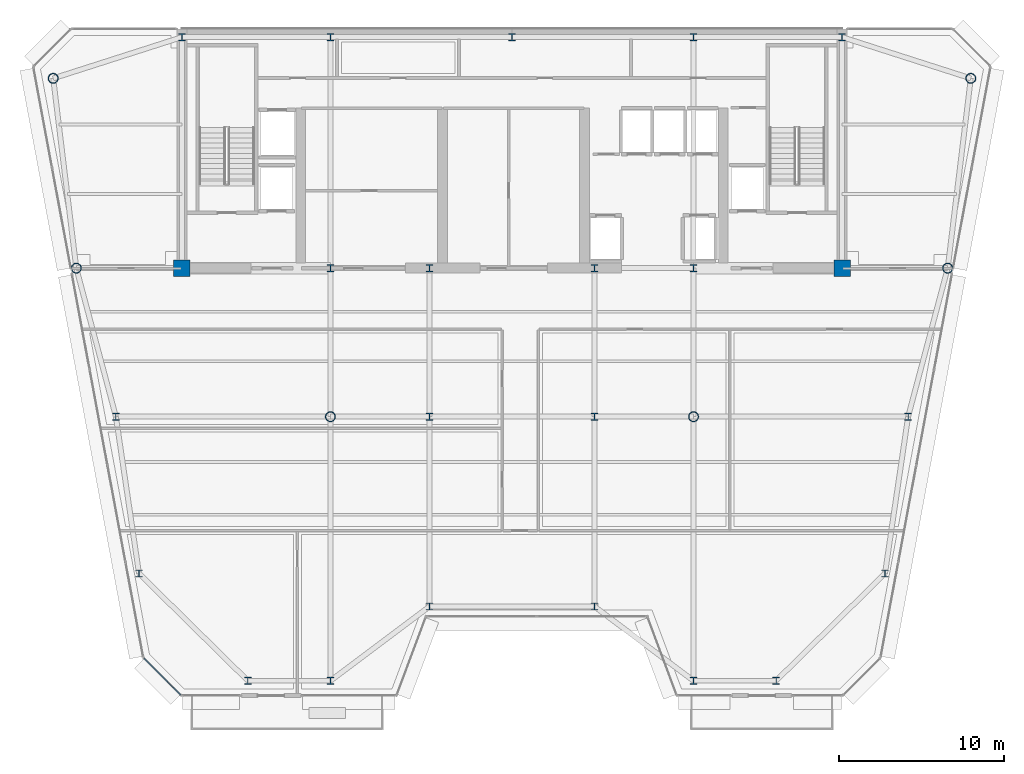
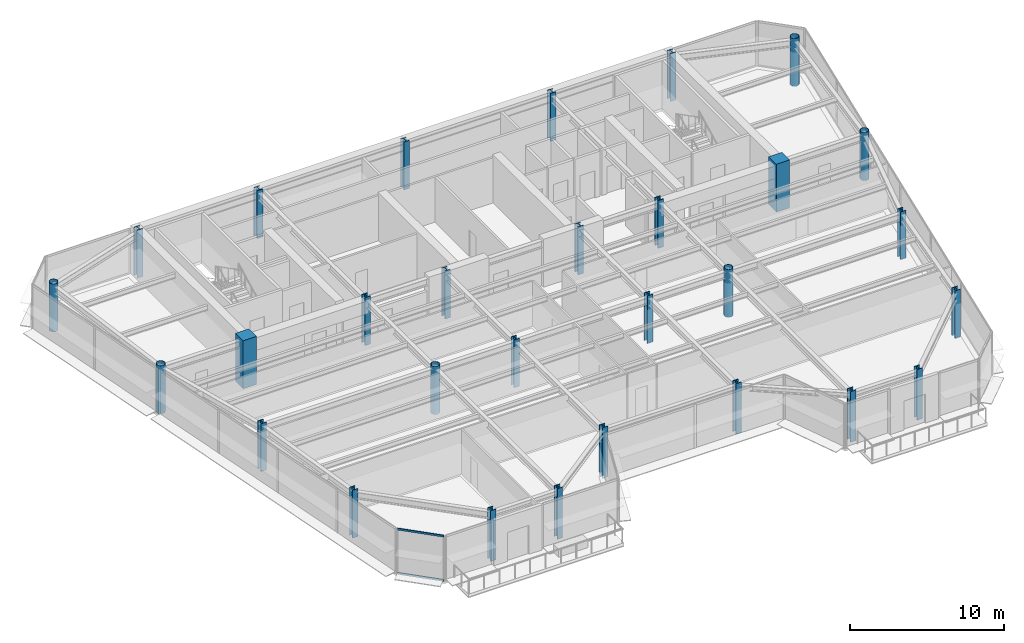
# One storey, part 1 of 14: 29 columns, 2 members, 1 element without a shape of its own.
"""IFC4 building model written with IfcOpenShell, lengths in metres."""

import ifcopenshell
import ifcopenshell.guid

model = None  # the IFC model being written
_history = None  # IfcOwnerHistory: only IFC2X3 demands one
_inside = {}  # id of a spatial element -> (the spatial element, [elements in it])
_under = {}  # id of a project, library or spatial element -> (it, [spatial elements below it])
_declared = {}  # id of a project -> (the project, [libraries it declares])
_typed = {}  # id of a type object -> (the type object, [elements of that type])
_made_of = {}  # id of a material, layer set ... -> (it, [elements and type objects made of it])


def new_model(schema):
    """Start an empty IFC model of exactly this schema.

    Asked for "IFC4X3", IfcOpenShell would pick the latest addendum, in which some entities
    have other attributes; the version numbers below select the first issue.
    IFC2X3 requires an IfcOwnerHistory on every rooted entity: one is made here for all.
    """
    global model, _history
    if schema == "IFC4X3":
        model = ifcopenshell.file(schema_version=(4, 3, 0, 0))
    else:
        model = ifcopenshell.file(schema=schema)
    _inside.clear()
    _under.clear()
    _declared.clear()
    _typed.clear()
    _made_of.clear()
    _history = None
    if model.schema == "IFC2X3":
        org = make("IfcOrganization", Name="unknown")
        user = make(
            "IfcPersonAndOrganization",
            ThePerson=make("IfcPerson", FamilyName="unknown"),
            TheOrganization=org,
        )
        app = make(
            "IfcApplication",
            ApplicationDeveloper=org,
            Version="unknown",
            ApplicationFullName="unknown",
            ApplicationIdentifier="unknown",
        )
        _history = make(
            "IfcOwnerHistory",
            OwningUser=user,
            OwningApplication=app,
            ChangeAction="ADDED",
            CreationDate=0,
        )
    return model


def make(cls, **values):
    """One entity of the class cls with the attributes given. An attribute that is None is left unset."""
    return model.create_entity(
        cls, **{name: value for name, value in values.items() if value is not None}
    )


def rooted(cls, **values):
    """An entity with a GlobalId (a new one), such as an element, a storey or a relation."""
    return make(cls, GlobalId=ifcopenshell.guid.new(), OwnerHistory=_history, **values)


def si_unit(unit_type, name, prefix=None):
    """IfcSIUnit, for example si_unit("LENGTHUNIT", "METRE", prefix="MILLI")."""
    return make("IfcSIUnit", UnitType=unit_type, Prefix=prefix, Name=name)


def assignment(units):
    """IfcUnitAssignment: the units of a project."""
    return None if units is None else make("IfcUnitAssignment", Units=units)


def point(xyz):
    """IfcCartesianPoint."""
    return None if xyz is None else make("IfcCartesianPoint", Coordinates=xyz)


def direction(xyz):
    """IfcDirection."""
    return None if xyz is None else make("IfcDirection", DirectionRatios=xyz)


def frame(location, z_axis=None, x_axis=None):
    """IfcAxis2Placement3D, a coordinate frame: its origin and axes. An axis left out is left unset."""
    return make(
        "IfcAxis2Placement3D",
        Location=point(location),
        Axis=direction(z_axis),
        RefDirection=direction(x_axis),
    )


def frame_2d(location, x_axis=None):
    """IfcAxis2Placement2D, a coordinate frame in the plane: its origin and x axis."""
    return make(
        "IfcAxis2Placement2D", Location=point(location), RefDirection=direction(x_axis)
    )


def origin():
    """The frame at (0, 0, 0) with its axes left unset."""
    return frame((0.0, 0.0, 0.0))


def origin_2d():
    """The frame at (0, 0) in the plane with its x axis left unset."""
    return frame_2d((0.0, 0.0))


def place(relative_to, where):
    """IfcLocalPlacement: puts the frame where relative to a parent placement (None: the world)."""
    return make(
        "IfcLocalPlacement", PlacementRelTo=relative_to, RelativePlacement=where
    )


def context(
    kind, dimensions, precision=None, world=None, true_north=None, identifier=None
):
    """IfcGeometricRepresentationContext, for example the 3D "Model" context."""
    return make(
        "IfcGeometricRepresentationContext",
        ContextIdentifier=identifier,
        ContextType=kind,
        CoordinateSpaceDimension=dimensions,
        Precision=precision,
        WorldCoordinateSystem=world,
        TrueNorth=true_north,
    )


def subcontext(parent, identifier, kind, view, scale=None):
    """IfcGeometricRepresentationSubContext, for example "Body" below "Model"."""
    return make(
        "IfcGeometricRepresentationSubContext",
        ContextIdentifier=identifier,
        ContextType=kind,
        ParentContext=parent,
        TargetScale=scale,
        TargetView=view,
    )


def project(units=None, contexts=None):
    """IfcProject with its units and contexts."""
    return rooted(
        "IfcProject",
        Name="project",
        RepresentationContexts=contexts,
        UnitsInContext=assignment(units),
    )


def spatial(cls, under=None, at=None, **own):
    """A site, building, storey or space (cls), placed at a placement, below another one or the project."""
    s = rooted(cls, ObjectPlacement=at, **own)
    if under is not None:
        _under.setdefault(under.id(), (under, []))[1].append(s)
    return s


def profile(cls, at=None, kind="AREA", **sizes):
    """A parametric profile (cls). Its sizes go by their IFC names, for example OverallWidth=200.0."""
    return make(cls, ProfileType=kind, Position=at, **sizes)


def rectangle(**sizes):
    """IfcRectangleProfileDef."""
    return profile("IfcRectangleProfileDef", **sizes)


def hollow_circle(**sizes):
    """IfcCircleHollowProfileDef."""
    return profile("IfcCircleHollowProfileDef", **sizes)


def i_section(**sizes):
    """IfcIShapeProfileDef."""
    return profile("IfcIShapeProfileDef", **sizes)


def extrude(swept, where, along, depth):
    """IfcExtrudedAreaSolid: the profile swept, set in the frame where, extruded along a direction by depth."""
    return make(
        "IfcExtrudedAreaSolid",
        SweptArea=swept,
        Position=where,
        ExtrudedDirection=direction(along),
        Depth=depth,
    )


def shape(context_of_items, identifier, shape_type, items):
    """IfcShapeRepresentation: the items that make up one representation, for example the "Body"."""
    return make(
        "IfcShapeRepresentation",
        ContextOfItems=context_of_items,
        RepresentationIdentifier=identifier,
        RepresentationType=shape_type,
        Items=items,
    )


def source(mapping_origin, context_of_items, identifier, shape_type, items):
    """IfcRepresentationMap: a shape defined once, which mapped items show again and again."""
    return make(
        "IfcRepresentationMap",
        MappingOrigin=mapping_origin,
        MappedRepresentation=shape(context_of_items, identifier, shape_type, items),
    )


def transform(
    local_origin,
    x_axis=None,
    y_axis=None,
    z_axis=None,
    scale=None,
    scale2=None,
    scale3=None,
    uniform=True,
):
    """IfcCartesianTransformationOperator3D, or its non-uniform kind. x_axis, y_axis, z_axis: its Axis1, 2, 3."""
    if uniform:
        return make(
            "IfcCartesianTransformationOperator3D",
            Axis1=direction(x_axis),
            Axis2=direction(y_axis),
            LocalOrigin=point(local_origin),
            Scale=scale,
            Axis3=direction(z_axis),
        )
    return make(
        "IfcCartesianTransformationOperator3DnonUniform",
        Axis1=direction(x_axis),
        Axis2=direction(y_axis),
        LocalOrigin=point(local_origin),
        Scale=scale,
        Axis3=direction(z_axis),
        Scale2=scale2,
        Scale3=scale3,
    )


def mapped(mapping_source, mapping_target):
    """IfcMappedItem: shows the shape of a source again, moved by a transform."""
    return make(
        "IfcMappedItem", MappingSource=mapping_source, MappingTarget=mapping_target
    )


def material(Name=None, Category=None):
    """IfcMaterial."""
    return make("IfcMaterial", Name=Name, Category=Category)


def layer(
    of_material, thickness, ventilated=None, Name=None, Category=None, Priority=None
):
    """IfcMaterialLayer: one layer of a wall or slab, of a material (None: an air gap)."""
    return make(
        "IfcMaterialLayer",
        Material=of_material,
        LayerThickness=thickness,
        IsVentilated=ventilated,
        Name=Name,
        Category=Category,
        Priority=Priority,
    )


def layer_set(layers, Name=None):
    """IfcMaterialLayerSet."""
    return make("IfcMaterialLayerSet", MaterialLayers=layers, LayerSetName=Name)


def material_profile(
    of_material, cross_section, Name=None, Category=None, Priority=None
):
    """IfcMaterialProfile: a cross section and its material."""
    return make(
        "IfcMaterialProfile",
        Name=Name,
        Material=of_material,
        Profile=cross_section,
        Priority=Priority,
        Category=Category,
    )


def profile_set(profiles, Name=None, composite=None):
    """IfcMaterialProfileSet."""
    return make(
        "IfcMaterialProfileSet",
        Name=Name,
        MaterialProfiles=profiles,
        CompositeProfile=composite,
    )


def made_of(thing, what):
    """Note that an element or type object is made of a material, layer set ...; save() writes the relation."""
    if what is not None:
        _made_of.setdefault(what.id(), (what, []))[1].append(thing)
    return thing


def type_object(cls, material=None, **own):
    """A type object (cls), such as IfcWallType, which elements share."""
    return made_of(rooted(cls, **own), material)


def element(
    cls,
    number,
    at=None,
    inside=None,
    cuts=None,
    type_object=None,
    material=None,
    context=None,
    identifier="Body",
    shape_type=None,
    held_by="IfcProductDefinitionShape",
    body=None,
    shapes=None,
    **own,
):
    """One element of the class cls, such as IfcWall. Its Tag is "e" and its number.

    at: its placement. inside: the storey or other place that contains it. cuts: it is an
    opening in that element (IfcRelVoidsElement). A single representation is given by context,
    identifier, shape_type and body (its items); several are given by shapes. held_by: the class
    of the entity that holds the representations. save() writes the other relations.
    """
    e = rooted(cls, Tag="e%d" % number, ObjectPlacement=at, **own)
    if body is not None:
        shapes = [shape(context, identifier, shape_type, body)]
    if shapes is not None:
        e.Representation = make(held_by, Representations=shapes)
    if inside is not None:
        _inside.setdefault(inside.id(), (inside, []))[1].append(e)
    if cuts is not None:
        rooted(
            "IfcRelVoidsElement", RelatingBuildingElement=cuts, RelatedOpeningElement=e
        )
    if type_object is not None:
        _typed.setdefault(type_object.id(), (type_object, []))[1].append(e)
    return made_of(e, material)


def aggregate(whole, parts):
    """IfcRelAggregates: a whole, such as a stair, and the parts it consists of."""
    return rooted("IfcRelAggregates", RelatingObject=whole, RelatedObjects=parts)


def save(model, path):
    """Write the relations noted so far, then the file.

    IfcRelAggregates (storeys below a building ...), IfcRelContainedInSpatialStructure (elements
    in a storey), IfcRelDefinesByType, IfcRelAssociatesMaterial and IfcRelDeclares: one each for
    every whole, place, type object, material and project.
    """
    for whole, parts in _under.values():
        aggregate(whole, parts)
    for where, things in _inside.values():
        rooted(
            "IfcRelContainedInSpatialStructure",
            RelatedElements=things,
            RelatingStructure=where,
        )
    for kind, things in _typed.values():
        rooted("IfcRelDefinesByType", RelatedObjects=things, RelatingType=kind)
    for what, things in _made_of.values():
        rooted("IfcRelAssociatesMaterial", RelatedObjects=things, RelatingMaterial=what)
    for by, libraries in _declared.values():
        rooted("IfcRelDeclares", RelatingContext=by, RelatedDefinitions=libraries)
    model.write(path)


model = new_model("IFC4")

# Units and contexts
model_context = context("Model", 3, precision=1e-05, world=origin(), true_north=direction((0.0, 1.0)))
body_context = subcontext(model_context, "Body", "Model", "MODEL_VIEW")
ifc_project = project(units=[si_unit("LENGTHUNIT", "METRE"), si_unit("AREAUNIT", "SQUARE_METRE"), si_unit("VOLUMEUNIT", "CUBIC_METRE"), si_unit("PLANEANGLEUNIT", "RADIAN"), si_unit("MASSUNIT", "GRAM", prefix="KILO")], contexts=[model_context])

# Site, building, storey
site_placement = place(None, origin())
site = spatial("IfcSite", under=ifc_project, at=site_placement, CompositionType="ELEMENT")
building_placement = place(site_placement, origin())
building = spatial("IfcBuilding", under=site, at=building_placement, Name="Vaeldorn Concourse Tower", CompositionType="ELEMENT")
storey_placement = place(building_placement, frame((0.0, 0.0, 238.39990234375)))
storey = spatial("IfcBuildingStorey", under=building, at=storey_placement, Name="L61", CompositionType="ELEMENT", Elevation=238.39990234375)

# Columns
ifc_material_1 = material(Name="Concrete C50/60", Category="concrete")
ifc_material_profile_1 = material_profile(ifc_material_1, rectangle(XDim=1.0, YDim=1.0, at=origin_2d()), Name="RC 1000x1000")
ifc_profile_set_1 = profile_set([ifc_material_profile_1], Name="Concrete C50/60")
column_type_1 = type_object("IfcColumnType", Name="COL-RC1000", PredefinedType="COLUMN", material=ifc_profile_set_1)
shared_shape_1 = source(origin(), body_context, "Body", "SweptSolid", [
    extrude(rectangle(XDim=1.0, YDim=1.0, at=origin_2d()), origin(), (0.0, 0.0, 1.0), 3.800048828125),
])
for number, where, z_axis, x_axis, name in (
    (1, (14.0, 36.5, 0.0), (0.0, 0.0, 1.0), (1.0, 0.0, 0.0), "Column C-FC1 L61"),
    (2, (54.0, 36.5, 0.0), (0.0, 0.0, 1.0), (1.0, 0.0, 0.0), "Column C-FC6 L61"),
):
    element("IfcColumn", number, at=place(storey_placement, frame(where, z_axis=z_axis, x_axis=x_axis)), inside=storey, type_object=column_type_1, Name=name, PredefinedType="COLUMN", context=body_context, shape_type="MappedRepresentation", body=[
        mapped(shared_shape_1, transform((0.0, 0.0, 0.0), scale=1.0)),
    ])
ifc_material_2 = material(Name="Steel S460", Category="steel")
ifc_material_profile_2 = material_profile(ifc_material_2, i_section(OverallWidth=0.41796875, OverallDepth=0.455078125, WebThickness=0.0419921875, FlangeThickness=0.05810546875, FilletRadius=0.014892578125, at=origin_2d()), Name="HD 400x551")
ifc_profile_set_2 = profile_set([ifc_material_profile_2], Name="Steel S460")
column_type_2 = type_object("IfcColumnType", Name="COL-HD551", PredefinedType="COLUMN", material=ifc_profile_set_2)
shared_shape_2 = source(origin(), body_context, "Body", "SweptSolid", [
    extrude(i_section(OverallWidth=0.41796875, OverallDepth=0.455078125, WebThickness=0.0419921875, FlangeThickness=0.05810546875, FilletRadius=0.014892578125, at=origin_2d()), origin(), (0.0, 0.0, 1.0), 3.800048828125),
])
for number, where, z_axis, x_axis, name in (
    (3, (23.0, 36.5, 0.0), (0.0, 0.0, 1.0), (1.0, 0.0, 0.0), "Column C-FC2 L61"),
    (4, (29.0, 36.5, 0.0), (0.0, 0.0, 1.0), (1.0, 0.0, 0.0), "Column C-FC3 L61"),
    (5, (39.0, 36.5, 0.0), (0.0, 0.0, 1.0), (1.0, 0.0, 0.0), "Column C-FC4 L61"),
    (6, (45.0, 36.5, 0.0), (0.0, 0.0, 1.0), (1.0, 0.0, 0.0), "Column C-FC5 L61"),
    (7, (14.0, 50.5, 0.0), (0.0, 0.0, 1.0), (1.0, 0.0, 0.0), "Column C-HC1 L61"),
    (8, (23.0, 50.5, 0.0), (0.0, 0.0, 1.0), (1.0, 0.0, 0.0), "Column C-HC2 L61"),
    (9, (34.0, 50.5, 0.0), (0.0, 0.0, 1.0), (1.0, 0.0, 0.0), "Column C-HC3 L61"),
    (10, (45.0, 50.5, 0.0), (0.0, 0.0, 1.0), (1.0, 0.0, 0.0), "Column C-HC4 L61"),
    (11, (54.0, 50.5, 0.0), (0.0, 0.0, 1.0), (1.0, 0.0, 0.0), "Column C-HC5 L61"),
):
    element("IfcColumn", number, at=place(storey_placement, frame(where, z_axis=z_axis, x_axis=x_axis)), inside=storey, type_object=column_type_2, Name=name, PredefinedType="COLUMN", context=body_context, shape_type="MappedRepresentation", body=[
        mapped(shared_shape_2, transform((0.0, 0.0, 0.0), scale=1.0)),
    ])
ifc_material_3 = material(Name="Steel S355", Category="steel")
ifc_material_profile_3 = material_profile(ifc_material_3, hollow_circle(Radius=0.304931640625, WallThickness=0.030029296875, at=origin_2d()), Name="CHS 610x30")
ifc_profile_set_3 = profile_set([ifc_material_profile_3], Name="Steel S355")
column_type_3 = type_object("IfcColumnType", Name="COL-CHS610", PredefinedType="COLUMN", material=ifc_profile_set_3)
shared_shape_3 = source(origin(), body_context, "Body", "SweptSolid", [
    extrude(hollow_circle(Radius=0.304931640625, WallThickness=0.030029296875, at=origin_2d()), origin(), (0.0, 0.0, 1.0), 3.800048828125),
])
for number, where, z_axis, x_axis, name in (
    (12, (6.199951171875, 48.0, 0.0), (0.0, 0.0, 1.0), (1.0, 0.0, 0.0), "Column C-NW1 L61"),
    (13, (7.60009765625, 36.5, 0.0), (0.0, 0.0, 1.0), (1.0, 0.0, 0.0), "Column C-NW2 L61"),
    (14, (61.800048828125, 48.0, 0.0), (0.0, 0.0, 1.0), (1.0, 0.0, 0.0), "Column C-NE1 L61"),
    (15, (60.39990234375, 36.5, 0.0), (0.0, 0.0, 1.0), (1.0, 0.0, 0.0), "Column C-NE2 L61"),
    (16, (23.0, 27.5, 0.0), (0.0, 0.0, 1.0), (1.0, 0.0, 0.0), "Column C-TW1 L61"),
    (17, (45.0, 27.5, 0.0), (0.0, 0.0, 1.0), (1.0, 0.0, 0.0), "Column C-TW4 L61"),
):
    element("IfcColumn", number, at=place(storey_placement, frame(where, z_axis=z_axis, x_axis=x_axis)), inside=storey, type_object=column_type_3, Name=name, PredefinedType="COLUMN", context=body_context, shape_type="MappedRepresentation", body=[
        mapped(shared_shape_3, transform((0.0, 0.0, 0.0), scale=1.0)),
    ])
ifc_material_profile_4 = material_profile(ifc_material_3, i_section(OverallWidth=0.412109375, OverallDepth=0.43505859375, WebThickness=0.035888671875, FlangeThickness=0.050048828125, FilletRadius=0.014892578125, at=origin_2d()), Name="HD 400x463")
ifc_profile_set_4 = profile_set([ifc_material_profile_4], Name="Steel S355")
column_type_4 = type_object("IfcColumnType", Name="COL-HD463F", PredefinedType="COLUMN", material=ifc_profile_set_4)
shared_shape_4 = source(origin(), body_context, "Body", "SweptSolid", [
    extrude(i_section(OverallWidth=0.412109375, OverallDepth=0.43505859375, WebThickness=0.035888671875, FlangeThickness=0.050048828125, FilletRadius=0.014892578125, at=origin_2d()), origin(), (0.0, 0.0, 1.0), 3.800048828125),
])
for number, where, z_axis, x_axis, name in (
    (18, (10.0, 27.5, 0.0), (0.0, 0.0, 1.0), (1.0, 0.0, 0.0), "Column C-FLW1 L61"),
    (19, (11.39990234375, 18.0, 0.0), (0.0, 0.0, 1.0), (1.0, 0.0, 0.0), "Column C-FLW2 L61"),
    (20, (58.0, 27.5, 0.0), (0.0, 0.0, 1.0), (1.0, 0.0, 0.0), "Column C-FLE1 L61"),
    (21, (56.60009765625, 18.0, 0.0), (0.0, 0.0, 1.0), (1.0, 0.0, 0.0), "Column C-FLE2 L61"),
):
    element("IfcColumn", number, at=place(storey_placement, frame(where, z_axis=z_axis, x_axis=x_axis)), inside=storey, type_object=column_type_4, Name=name, PredefinedType="COLUMN", context=body_context, shape_type="MappedRepresentation", body=[
        mapped(shared_shape_4, transform((0.0, 0.0, 0.0), scale=1.0)),
    ])
ifc_material_profile_5 = material_profile(ifc_material_3, i_section(OverallWidth=0.412109375, OverallDepth=0.43505859375, WebThickness=0.035888671875, FlangeThickness=0.050048828125, FilletRadius=0.014892578125, at=origin_2d()), Name="HD 400x463")
ifc_profile_set_5 = profile_set([ifc_material_profile_5], Name="Steel S355")
column_type_5 = type_object("IfcColumnType", Name="COL-HD463T", PredefinedType="COLUMN", material=ifc_profile_set_5)
shared_shape_5 = source(origin(), body_context, "Body", "SweptSolid", [
    extrude(i_section(OverallWidth=0.412109375, OverallDepth=0.43505859375, WebThickness=0.035888671875, FlangeThickness=0.050048828125, FilletRadius=0.014892578125, at=origin_2d()), origin(), (0.0, 0.0, 1.0), 3.800048828125),
])
for number, where, z_axis, x_axis, name in (
    (22, (29.0, 27.5, 0.0), (0.0, 0.0, 1.0), (1.0, 0.0, 0.0), "Column C-TW2 L61"),
    (23, (39.0, 27.5, 0.0), (0.0, 0.0, 1.0), (1.0, 0.0, 0.0), "Column C-TW3 L61"),
):
    element("IfcColumn", number, at=place(storey_placement, frame(where, z_axis=z_axis, x_axis=x_axis)), inside=storey, type_object=column_type_5, Name=name, PredefinedType="COLUMN", context=body_context, shape_type="MappedRepresentation", body=[
        mapped(shared_shape_5, transform((0.0, 0.0, 0.0), scale=1.0)),
    ])
shared_shape_6 = source(origin(), body_context, "Body", "SweptSolid", [
    extrude(i_section(OverallWidth=0.412109375, OverallDepth=0.43505859375, WebThickness=0.035888671875, FlangeThickness=0.050048828125, FilletRadius=0.014892578125, at=origin_2d()), origin(), (0.0, 0.0, 1.0), 4.02001953125),
])
for number, where, z_axis, x_axis, name in (
    (24, (18.0, 11.5, -0.219970703125), (0.0, 0.0, 1.0), (1.0, 0.0, 0.0), "Column C-SF1 L61"),
    (25, (23.0, 11.5, -0.219970703125), (0.0, 0.0, 1.0), (1.0, 0.0, 0.0), "Column C-SF2 L61"),
    (26, (29.0, 16.0, -0.219970703125), (0.0, 0.0, 1.0), (1.0, 0.0, 0.0), "Column C-SF3 L61"),
    (27, (39.0, 16.0, -0.219970703125), (0.0, 0.0, 1.0), (1.0, 0.0, 0.0), "Column C-SF4 L61"),
    (28, (45.0, 11.5, -0.219970703125), (0.0, 0.0, 1.0), (1.0, 0.0, 0.0), "Column C-SF5 L61"),
    (29, (50.0, 11.5, -0.219970703125), (0.0, 0.0, 1.0), (1.0, 0.0, 0.0), "Column C-SF6 L61"),
):
    element("IfcColumn", number, at=place(storey_placement, frame(where, z_axis=z_axis, x_axis=x_axis)), inside=storey, type_object=column_type_5, Name=name, PredefinedType="COLUMN", context=body_context, shape_type="MappedRepresentation", body=[
        mapped(shared_shape_6, transform((0.0, 0.0, 0.0), scale=1.0)),
    ])

# Curtain wall, members
ifc_material_4 = material(Name="Anodised Bronze Aluminium", Category="aluminium")
ifc_layer = layer(ifc_material_4, 0.2099609375)
ifc_layer_set = layer_set([ifc_layer], Name="Anodised Bronze Aluminium")
curtain_wall_type = type_object("IfcCurtainWallType", Name="CW-SYS-06", PredefinedType="NOTDEFINED", material=ifc_layer_set)
curtain_wall_placement = place(storey_placement, origin())
curtain_wall = element("IfcCurtainWall", 30, at=curtain_wall_placement, inside=storey, type_object=curtain_wall_type, Name="Unitised Curtain Wall CW-L61-E12-1", PredefinedType="NOTDEFINED")
ifc_material_profile_6 = material_profile(ifc_material_4, rectangle(XDim=0.06494140625, YDim=0.14990234375, at=origin_2d()), Name="CWT 65x150")
ifc_profile_set_6 = profile_set([ifc_material_profile_6], Name="Anodised Bronze Aluminium")
member_type = type_object("IfcMemberType", Name="CWT-BRONZE-150", PredefinedType="USERDEFINED", material=ifc_profile_set_6)
shared_shape_7 = source(origin(), body_context, "Body", "SweptSolid", [
    extrude(rectangle(XDim=0.06494140625, YDim=0.14990234375, at=origin_2d()), origin(), (0.0, 0.0, 1.0), 3.12255859375),
])
member_1_placement = place(storey_placement, frame((11.7119140625, 12.85400390625, 0.03271484375), z_axis=(0.707106781187, -0.707106781187, 0.0), x_axis=(0.707106781187, 0.707106781187, 0.0)))
member_1 = element("IfcMember", 31, at=member_1_placement, type_object=member_type, Name="CW-06 transom 1.1", ObjectType="TRANSOM", PredefinedType="USERDEFINED", context=body_context, shape_type="MappedRepresentation", body=[
    mapped(shared_shape_7, transform((0.0, 0.0, 0.0), scale=1.0)),
])
member_2_placement = place(storey_placement, frame((11.7119140625, 12.85400390625, 3.547607421875), z_axis=(0.707106781187, -0.707106781187, 0.0), x_axis=(0.707106781187, 0.707106781187, 0.0)))
member_2 = element("IfcMember", 32, at=member_2_placement, type_object=member_type, Name="CW-06 transom 1.2", ObjectType="TRANSOM", PredefinedType="USERDEFINED", context=body_context, shape_type="MappedRepresentation", body=[
    mapped(shared_shape_7, transform((0.0, 0.0, 0.0), scale=1.0)),
])
aggregate(curtain_wall, [member_1, member_2])

save(model, "model.ifc")
